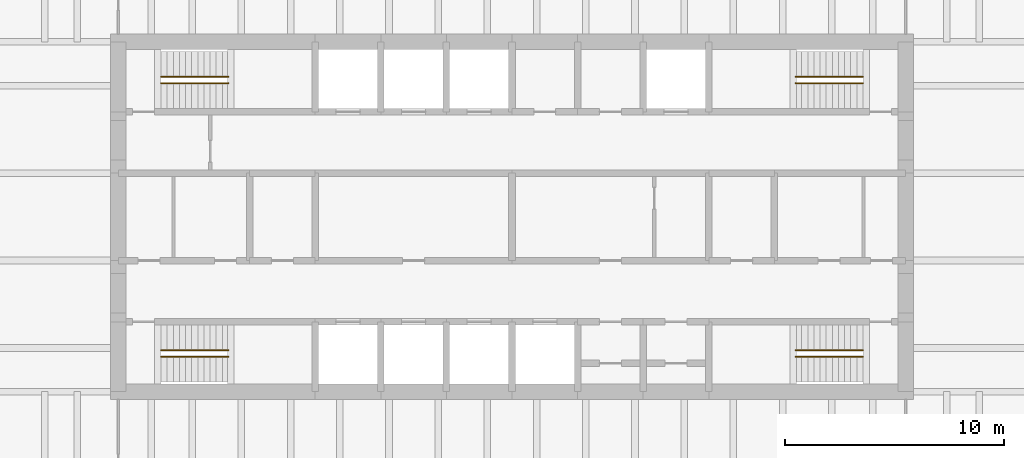
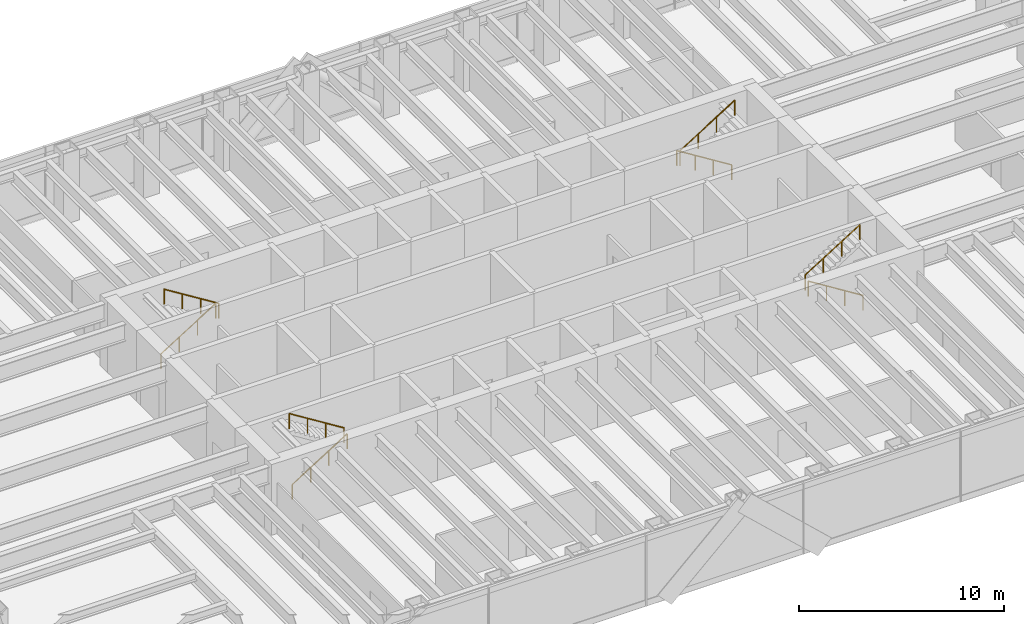
# One storey, part 15 of 15: 8 railings.
"""IFC4 building model written with IfcOpenShell, lengths in metres."""

from ifc_helpers import new_model, si_unit, direction, frame, origin, origin_2d, place, context, subcontext, project, spatial, circle, extrude, material, type_object, element, save


model = new_model("IFC4")

# Units and contexts
model_context = context("Model", 3, precision=1e-05, world=origin(), true_north=direction((0.0, 1.0)))
body_context = subcontext(model_context, "Body", "Model", "MODEL_VIEW")
ifc_project = project(units=[si_unit("LENGTHUNIT", "METRE"), si_unit("AREAUNIT", "SQUARE_METRE"), si_unit("VOLUMEUNIT", "CUBIC_METRE"), si_unit("PLANEANGLEUNIT", "RADIAN"), si_unit("MASSUNIT", "GRAM", prefix="KILO")], contexts=[model_context])

# Site, building, storey
site_placement = place(None, origin())
site = spatial("IfcSite", under=ifc_project, at=site_placement, CompositionType="ELEMENT")
building_placement = place(site_placement, origin())
building = spatial("IfcBuilding", under=site, at=building_placement, Name="Rheinbord Bourse Tower", CompositionType="ELEMENT")
storey_placement = place(building_placement, frame((0.0, 0.0, 329.89990234375)))
storey = spatial("IfcBuildingStorey", under=building, at=storey_placement, Name="L75", CompositionType="ELEMENT", Elevation=329.89990234375)

# Railings
ifc_material = material(Name="Steel handrail", Category="steel")
railing_type = type_object("IfcRailingType", Name="HANDRAIL 900", PredefinedType="HANDRAIL", material=ifc_material)
railing_1_placement = place(storey_placement, frame((19.949951171875, 17.60009765625, 0.175048828125)))
element("IfcRailing", 1, at=railing_1_placement, inside=storey, type_object=railing_type, Name="Handrail", PredefinedType="HANDRAIL", context=body_context, shape_type="SweptSolid", body=[
    extrude(circle(Radius=0.02392578125, at=origin_2d()), frame((0.0, 0.0, 0.8759765625), z_axis=(0.847998304005, 0.0, 0.529998940003), x_axis=(0.0, 1.0, 0.0)), (0.0, 0.0, 1.0), 3.632080078125),
    extrude(circle(Radius=0.02099609375, at=origin_2d()), origin(), (0.0, 0.0, 1.0), 0.851806640625),
    extrude(circle(Radius=0.02099609375, at=origin_2d()), frame((1.026611328125, 0.0, 0.6416015625)), (0.0, 0.0, 1.0), 0.851806640625),
    extrude(circle(Radius=0.02099609375, at=origin_2d()), frame((2.053466796875, 0.0, 1.283447265625)), (0.0, 0.0, 1.0), 0.851806640625),
    extrude(circle(Radius=0.02099609375, at=origin_2d()), frame((3.080078125, 0.0, 1.925048828125)), (0.0, 0.0, 1.0), 0.851806640625),
])
railing_2_placement = place(storey_placement, frame((23.030029296875, 17.89990234375, 2.275146484375)))
element("IfcRailing", 2, at=railing_2_placement, inside=storey, type_object=railing_type, Name="Handrail", PredefinedType="HANDRAIL", context=body_context, shape_type="SweptSolid", body=[
    extrude(circle(Radius=0.02392578125, at=origin_2d()), frame((0.0, 0.0, 0.8759765625), z_axis=(-0.847998304005, 0.0, 0.529998940003), x_axis=(0.0, -1.0, 0.0)), (0.0, 0.0, 1.0), 3.632080078125),
    extrude(circle(Radius=0.02099609375, at=origin_2d()), origin(), (0.0, 0.0, 1.0), 0.851806640625),
    extrude(circle(Radius=0.02099609375, at=origin_2d()), frame((-1.026611328125, 0.0, 0.6416015625)), (0.0, 0.0, 1.0), 0.851806640625),
    extrude(circle(Radius=0.02099609375, at=origin_2d()), frame((-2.053466796875, 0.0, 1.283447265625)), (0.0, 0.0, 1.0), 0.851806640625),
    extrude(circle(Radius=0.02099609375, at=origin_2d()), frame((-3.080078125, 0.0, 1.925048828125)), (0.0, 0.0, 1.0), 0.851806640625),
])
railing_3_placement = place(storey_placement, frame((19.949951171875, 30.39990234375, 0.175048828125)))
element("IfcRailing", 3, at=railing_3_placement, inside=storey, type_object=railing_type, Name="Handrail", PredefinedType="HANDRAIL", context=body_context, shape_type="SweptSolid", body=[
    extrude(circle(Radius=0.02392578125, at=origin_2d()), frame((0.0, 0.0, 0.8759765625), z_axis=(0.847998304005, 0.0, 0.529998940003), x_axis=(0.0, 1.0, 0.0)), (0.0, 0.0, 1.0), 3.632080078125),
    extrude(circle(Radius=0.02099609375, at=origin_2d()), origin(), (0.0, 0.0, 1.0), 0.851806640625),
    extrude(circle(Radius=0.02099609375, at=origin_2d()), frame((1.026611328125, 0.0, 0.6416015625)), (0.0, 0.0, 1.0), 0.851806640625),
    extrude(circle(Radius=0.02099609375, at=origin_2d()), frame((2.053466796875, 0.0, 1.283447265625)), (0.0, 0.0, 1.0), 0.851806640625),
    extrude(circle(Radius=0.02099609375, at=origin_2d()), frame((3.080078125, 0.0, 1.925048828125)), (0.0, 0.0, 1.0), 0.851806640625),
])
for number, where, name in (
    (4, (23.030029296875, 30.10009765625, 2.275146484375), "Handrail"),
    (5, (52.050048828125, 17.60009765625, 0.175048828125), "Handrail"),
):
    element("IfcRailing", number, at=place(storey_placement, frame(where)), inside=storey, type_object=railing_type, Name=name, PredefinedType="HANDRAIL", context=body_context, shape_type="SweptSolid", body=[
        extrude(circle(Radius=0.02392578125, at=origin_2d()), frame((0.0, 0.0, 0.8759765625), z_axis=(-0.847998304005, 0.0, 0.529998940003), x_axis=(0.0, -1.0, 0.0)), (0.0, 0.0, 1.0), 3.632080078125),
        extrude(circle(Radius=0.02099609375, at=origin_2d()), origin(), (0.0, 0.0, 1.0), 0.851806640625),
        extrude(circle(Radius=0.02099609375, at=origin_2d()), frame((-1.026611328125, 0.0, 0.6416015625)), (0.0, 0.0, 1.0), 0.851806640625),
        extrude(circle(Radius=0.02099609375, at=origin_2d()), frame((-2.053466796875, 0.0, 1.283447265625)), (0.0, 0.0, 1.0), 0.851806640625),
        extrude(circle(Radius=0.02099609375, at=origin_2d()), frame((-3.080078125, 0.0, 1.925048828125)), (0.0, 0.0, 1.0), 0.851806640625),
    ])
railing_4_placement = place(storey_placement, frame((48.969970703125, 17.89990234375, 2.275146484375)))
element("IfcRailing", 6, at=railing_4_placement, inside=storey, type_object=railing_type, Name="Handrail", PredefinedType="HANDRAIL", context=body_context, shape_type="SweptSolid", body=[
    extrude(circle(Radius=0.02392578125, at=origin_2d()), frame((0.0, 0.0, 0.8759765625), z_axis=(0.847998304005, 0.0, 0.529998940003), x_axis=(0.0, 1.0, 0.0)), (0.0, 0.0, 1.0), 3.632080078125),
    extrude(circle(Radius=0.02099609375, at=origin_2d()), origin(), (0.0, 0.0, 1.0), 0.851806640625),
    extrude(circle(Radius=0.02099609375, at=origin_2d()), frame((1.026611328125, 0.0, 0.6416015625)), (0.0, 0.0, 1.0), 0.851806640625),
    extrude(circle(Radius=0.02099609375, at=origin_2d()), frame((2.053466796875, 0.0, 1.283447265625)), (0.0, 0.0, 1.0), 0.851806640625),
    extrude(circle(Radius=0.02099609375, at=origin_2d()), frame((3.080078125, 0.0, 1.925048828125)), (0.0, 0.0, 1.0), 0.851806640625),
])
railing_5_placement = place(storey_placement, frame((52.050048828125, 30.39990234375, 0.175048828125)))
element("IfcRailing", 7, at=railing_5_placement, inside=storey, type_object=railing_type, Name="Handrail", PredefinedType="HANDRAIL", context=body_context, shape_type="SweptSolid", body=[
    extrude(circle(Radius=0.02392578125, at=origin_2d()), frame((0.0, 0.0, 0.8759765625), z_axis=(-0.847998304005, 0.0, 0.529998940003), x_axis=(0.0, -1.0, 0.0)), (0.0, 0.0, 1.0), 3.632080078125),
    extrude(circle(Radius=0.02099609375, at=origin_2d()), origin(), (0.0, 0.0, 1.0), 0.851806640625),
    extrude(circle(Radius=0.02099609375, at=origin_2d()), frame((-1.026611328125, 0.0, 0.6416015625)), (0.0, 0.0, 1.0), 0.851806640625),
    extrude(circle(Radius=0.02099609375, at=origin_2d()), frame((-2.053466796875, 0.0, 1.283447265625)), (0.0, 0.0, 1.0), 0.851806640625),
    extrude(circle(Radius=0.02099609375, at=origin_2d()), frame((-3.080078125, 0.0, 1.925048828125)), (0.0, 0.0, 1.0), 0.851806640625),
])
railing_6_placement = place(storey_placement, frame((48.969970703125, 30.10009765625, 2.275146484375)))
element("IfcRailing", 8, at=railing_6_placement, inside=storey, type_object=railing_type, Name="Handrail", PredefinedType="HANDRAIL", context=body_context, shape_type="SweptSolid", body=[
    extrude(circle(Radius=0.02392578125, at=origin_2d()), frame((0.0, 0.0, 0.8759765625), z_axis=(0.847998304005, 0.0, 0.529998940003), x_axis=(0.0, 1.0, 0.0)), (0.0, 0.0, 1.0), 3.632080078125),
    extrude(circle(Radius=0.02099609375, at=origin_2d()), origin(), (0.0, 0.0, 1.0), 0.851806640625),
    extrude(circle(Radius=0.02099609375, at=origin_2d()), frame((1.026611328125, 0.0, 0.6416015625)), (0.0, 0.0, 1.0), 0.851806640625),
    extrude(circle(Radius=0.02099609375, at=origin_2d()), frame((2.053466796875, 0.0, 1.283447265625)), (0.0, 0.0, 1.0), 0.851806640625),
    extrude(circle(Radius=0.02099609375, at=origin_2d()), frame((3.080078125, 0.0, 1.925048828125)), (0.0, 0.0, 1.0), 0.851806640625),
])

save(model, "model.ifc")
